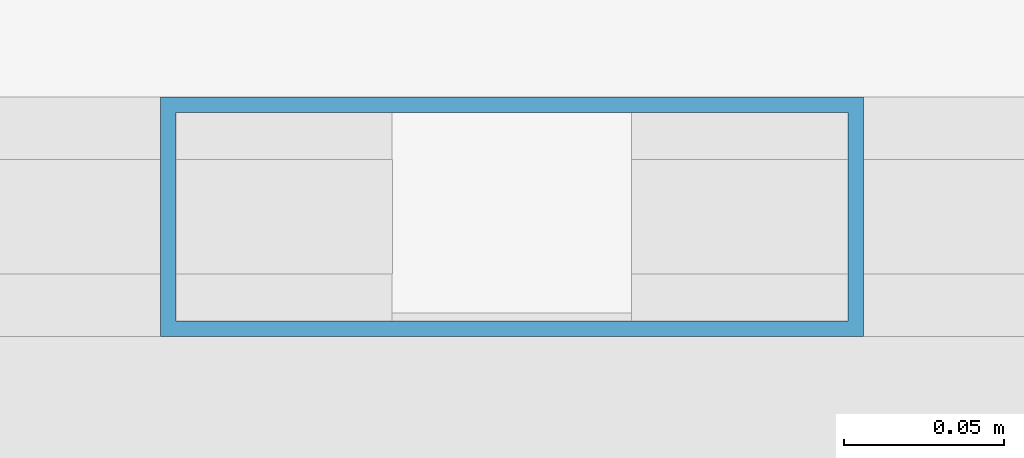
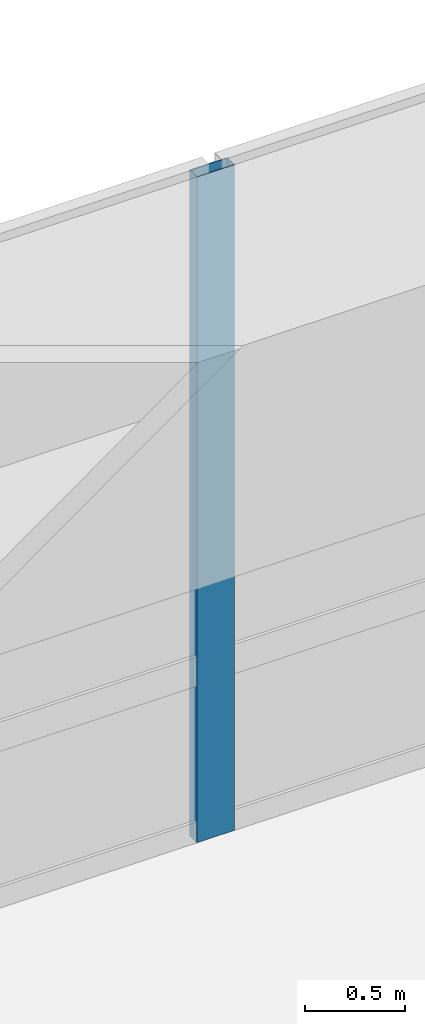
# One storey, part 8 of 27: 1 member, 1 element without a shape of its own.
"""IFC4 building model written with IfcOpenShell, lengths in metres."""

import ifcopenshell
import ifcopenshell.guid

model = None  # the IFC model being written
_history = None  # IfcOwnerHistory: only IFC2X3 demands one
_inside = {}  # id of a spatial element -> (the spatial element, [elements in it])
_under = {}  # id of a project, library or spatial element -> (it, [spatial elements below it])
_declared = {}  # id of a project -> (the project, [libraries it declares])
_typed = {}  # id of a type object -> (the type object, [elements of that type])
_made_of = {}  # id of a material, layer set ... -> (it, [elements and type objects made of it])


def new_model(schema):
    """Start an empty IFC model of exactly this schema.

    Asked for "IFC4X3", IfcOpenShell would pick the latest addendum, in which some entities
    have other attributes; the version numbers below select the first issue.
    IFC2X3 requires an IfcOwnerHistory on every rooted entity: one is made here for all.
    """
    global model, _history
    if schema == "IFC4X3":
        model = ifcopenshell.file(schema_version=(4, 3, 0, 0))
    else:
        model = ifcopenshell.file(schema=schema)
    _inside.clear()
    _under.clear()
    _declared.clear()
    _typed.clear()
    _made_of.clear()
    _history = None
    if model.schema == "IFC2X3":
        org = make("IfcOrganization", Name="unknown")
        user = make(
            "IfcPersonAndOrganization",
            ThePerson=make("IfcPerson", FamilyName="unknown"),
            TheOrganization=org,
        )
        app = make(
            "IfcApplication",
            ApplicationDeveloper=org,
            Version="unknown",
            ApplicationFullName="unknown",
            ApplicationIdentifier="unknown",
        )
        _history = make(
            "IfcOwnerHistory",
            OwningUser=user,
            OwningApplication=app,
            ChangeAction="ADDED",
            CreationDate=0,
        )
    return model


def make(cls, **values):
    """One entity of the class cls with the attributes given. An attribute that is None is left unset."""
    return model.create_entity(
        cls, **{name: value for name, value in values.items() if value is not None}
    )


def rooted(cls, **values):
    """An entity with a GlobalId (a new one), such as an element, a storey or a relation."""
    return make(cls, GlobalId=ifcopenshell.guid.new(), OwnerHistory=_history, **values)


def si_unit(unit_type, name, prefix=None):
    """IfcSIUnit, for example si_unit("LENGTHUNIT", "METRE", prefix="MILLI")."""
    return make("IfcSIUnit", UnitType=unit_type, Prefix=prefix, Name=name)


def assignment(units):
    """IfcUnitAssignment: the units of a project."""
    return None if units is None else make("IfcUnitAssignment", Units=units)


def point(xyz):
    """IfcCartesianPoint."""
    return None if xyz is None else make("IfcCartesianPoint", Coordinates=xyz)


def direction(xyz):
    """IfcDirection."""
    return None if xyz is None else make("IfcDirection", DirectionRatios=xyz)


def frame(location, z_axis=None, x_axis=None):
    """IfcAxis2Placement3D, a coordinate frame: its origin and axes. An axis left out is left unset."""
    return make(
        "IfcAxis2Placement3D",
        Location=point(location),
        Axis=direction(z_axis),
        RefDirection=direction(x_axis),
    )


def frame_2d(location, x_axis=None):
    """IfcAxis2Placement2D, a coordinate frame in the plane: its origin and x axis."""
    return make(
        "IfcAxis2Placement2D", Location=point(location), RefDirection=direction(x_axis)
    )


def origin():
    """The frame at (0, 0, 0) with its axes left unset."""
    return frame((0.0, 0.0, 0.0))


def origin_2d():
    """The frame at (0, 0) in the plane with its x axis left unset."""
    return frame_2d((0.0, 0.0))


def place(relative_to, where):
    """IfcLocalPlacement: puts the frame where relative to a parent placement (None: the world)."""
    return make(
        "IfcLocalPlacement", PlacementRelTo=relative_to, RelativePlacement=where
    )


def context(
    kind, dimensions, precision=None, world=None, true_north=None, identifier=None
):
    """IfcGeometricRepresentationContext, for example the 3D "Model" context."""
    return make(
        "IfcGeometricRepresentationContext",
        ContextIdentifier=identifier,
        ContextType=kind,
        CoordinateSpaceDimension=dimensions,
        Precision=precision,
        WorldCoordinateSystem=world,
        TrueNorth=true_north,
    )


def subcontext(parent, identifier, kind, view, scale=None):
    """IfcGeometricRepresentationSubContext, for example "Body" below "Model"."""
    return make(
        "IfcGeometricRepresentationSubContext",
        ContextIdentifier=identifier,
        ContextType=kind,
        ParentContext=parent,
        TargetScale=scale,
        TargetView=view,
    )


def project(units=None, contexts=None):
    """IfcProject with its units and contexts."""
    return rooted(
        "IfcProject",
        Name="project",
        RepresentationContexts=contexts,
        UnitsInContext=assignment(units),
    )


def spatial(cls, under=None, at=None, **own):
    """A site, building, storey or space (cls), placed at a placement, below another one or the project."""
    s = rooted(cls, ObjectPlacement=at, **own)
    if under is not None:
        _under.setdefault(under.id(), (under, []))[1].append(s)
    return s


def profile(cls, at=None, kind="AREA", **sizes):
    """A parametric profile (cls). Its sizes go by their IFC names, for example OverallWidth=200.0."""
    return make(cls, ProfileType=kind, Position=at, **sizes)


def hollow_rectangle(**sizes):
    """IfcRectangleHollowProfileDef."""
    return profile("IfcRectangleHollowProfileDef", **sizes)


def extrude(swept, where, along, depth):
    """IfcExtrudedAreaSolid: the profile swept, set in the frame where, extruded along a direction by depth."""
    return make(
        "IfcExtrudedAreaSolid",
        SweptArea=swept,
        Position=where,
        ExtrudedDirection=direction(along),
        Depth=depth,
    )


def shape(context_of_items, identifier, shape_type, items):
    """IfcShapeRepresentation: the items that make up one representation, for example the "Body"."""
    return make(
        "IfcShapeRepresentation",
        ContextOfItems=context_of_items,
        RepresentationIdentifier=identifier,
        RepresentationType=shape_type,
        Items=items,
    )


def material(Name=None, Category=None):
    """IfcMaterial."""
    return make("IfcMaterial", Name=Name, Category=Category)


def material_profile(
    of_material, cross_section, Name=None, Category=None, Priority=None
):
    """IfcMaterialProfile: a cross section and its material."""
    return make(
        "IfcMaterialProfile",
        Name=Name,
        Material=of_material,
        Profile=cross_section,
        Priority=Priority,
        Category=Category,
    )


def profile_set(profiles, Name=None, composite=None):
    """IfcMaterialProfileSet."""
    return make(
        "IfcMaterialProfileSet",
        Name=Name,
        MaterialProfiles=profiles,
        CompositeProfile=composite,
    )


def made_of(thing, what):
    """Note that an element or type object is made of a material, layer set ...; save() writes the relation."""
    if what is not None:
        _made_of.setdefault(what.id(), (what, []))[1].append(thing)
    return thing


def type_object(cls, material=None, **own):
    """A type object (cls), such as IfcWallType, which elements share."""
    return made_of(rooted(cls, **own), material)


def element(
    cls,
    number,
    at=None,
    inside=None,
    cuts=None,
    type_object=None,
    material=None,
    context=None,
    identifier="Body",
    shape_type=None,
    held_by="IfcProductDefinitionShape",
    body=None,
    shapes=None,
    **own,
):
    """One element of the class cls, such as IfcWall. Its Tag is "e" and its number.

    at: its placement. inside: the storey or other place that contains it. cuts: it is an
    opening in that element (IfcRelVoidsElement). A single representation is given by context,
    identifier, shape_type and body (its items); several are given by shapes. held_by: the class
    of the entity that holds the representations. save() writes the other relations.
    """
    e = rooted(cls, Tag="e%d" % number, ObjectPlacement=at, **own)
    if body is not None:
        shapes = [shape(context, identifier, shape_type, body)]
    if shapes is not None:
        e.Representation = make(held_by, Representations=shapes)
    if inside is not None:
        _inside.setdefault(inside.id(), (inside, []))[1].append(e)
    if cuts is not None:
        rooted(
            "IfcRelVoidsElement", RelatingBuildingElement=cuts, RelatedOpeningElement=e
        )
    if type_object is not None:
        _typed.setdefault(type_object.id(), (type_object, []))[1].append(e)
    return made_of(e, material)


def aggregate(whole, parts):
    """IfcRelAggregates: a whole, such as a stair, and the parts it consists of."""
    return rooted("IfcRelAggregates", RelatingObject=whole, RelatedObjects=parts)


def save(model, path):
    """Write the relations noted so far, then the file.

    IfcRelAggregates (storeys below a building ...), IfcRelContainedInSpatialStructure (elements
    in a storey), IfcRelDefinesByType, IfcRelAssociatesMaterial and IfcRelDeclares: one each for
    every whole, place, type object, material and project.
    """
    for whole, parts in _under.values():
        aggregate(whole, parts)
    for where, things in _inside.values():
        rooted(
            "IfcRelContainedInSpatialStructure",
            RelatedElements=things,
            RelatingStructure=where,
        )
    for kind, things in _typed.values():
        rooted("IfcRelDefinesByType", RelatedObjects=things, RelatingType=kind)
    for what, things in _made_of.values():
        rooted("IfcRelAssociatesMaterial", RelatedObjects=things, RelatingMaterial=what)
    for by, libraries in _declared.values():
        rooted("IfcRelDeclares", RelatingContext=by, RelatedDefinitions=libraries)
    model.write(path)


model = new_model("IFC4")

# Units and contexts
model_context = context("Model", 3, precision=1e-05, world=origin(), true_north=direction((0.0, 1.0)))
body_context = subcontext(model_context, "Body", "Model", "MODEL_VIEW")
ifc_project = project(units=[si_unit("LENGTHUNIT", "METRE"), si_unit("AREAUNIT", "SQUARE_METRE"), si_unit("VOLUMEUNIT", "CUBIC_METRE"), si_unit("PLANEANGLEUNIT", "RADIAN"), si_unit("MASSUNIT", "GRAM", prefix="KILO")], contexts=[model_context])

# Site, building, storey
site_placement = place(None, origin())
site = spatial("IfcSite", under=ifc_project, at=site_placement, CompositionType="ELEMENT")
building_placement = place(site_placement, origin())
building = spatial("IfcBuilding", under=site, at=building_placement, Name="Khamvora Tower", CompositionType="ELEMENT")
storey_placement = place(building_placement, frame((0.0, 0.0, 28.800048828125)))
storey = spatial("IfcBuildingStorey", under=building, at=storey_placement, Name="L06", CompositionType="ELEMENT", Elevation=28.800048828125)

# Curtain wall, member
ifc_material = material(Name="Anodised Aluminium 6063-T6", Category="aluminium")
curtain_wall_type = type_object("IfcCurtainWallType", Name="CW-SYS-01", PredefinedType="NOTDEFINED", material=ifc_material)
curtain_wall_placement = place(storey_placement, origin())
curtain_wall = element("IfcCurtainWall", 1, at=curtain_wall_placement, inside=storey, type_object=curtain_wall_type, Name="L06 stick curtain wall 07.1", PredefinedType="NOTDEFINED")
ifc_material_profile = material_profile(ifc_material, hollow_rectangle(XDim=0.074951171875, YDim=0.219970703125, WallThickness=0.0048828125, at=origin_2d()), Name="MUL75x220x5")
ifc_profile_set = profile_set([ifc_material_profile], Name="Anodised Aluminium 6063-T6")
member_type = type_object("IfcMemberType", Name="CW-SYS-01-MUL", PredefinedType="MULLION", material=ifc_profile_set)
member_placement = place(storey_placement, frame((30.06689453125, 55.8798828125, 0.0), z_axis=(0.0, 0.0, 1.0), x_axis=(0.0, 1.0, 0.0)))
member = element("IfcMember", 2, at=member_placement, type_object=member_type, Name="CW-01 mullion 7", PredefinedType="MULLION", context=body_context, shape_type="SweptSolid", body=[
    extrude(hollow_rectangle(XDim=0.074951171875, YDim=0.219970703125, WallThickness=0.0048828125, at=origin_2d()), origin(), (0.0, 0.0, 1.0), 4.079833984375),
])
aggregate(curtain_wall, [member])

save(model, "model.ifc")
